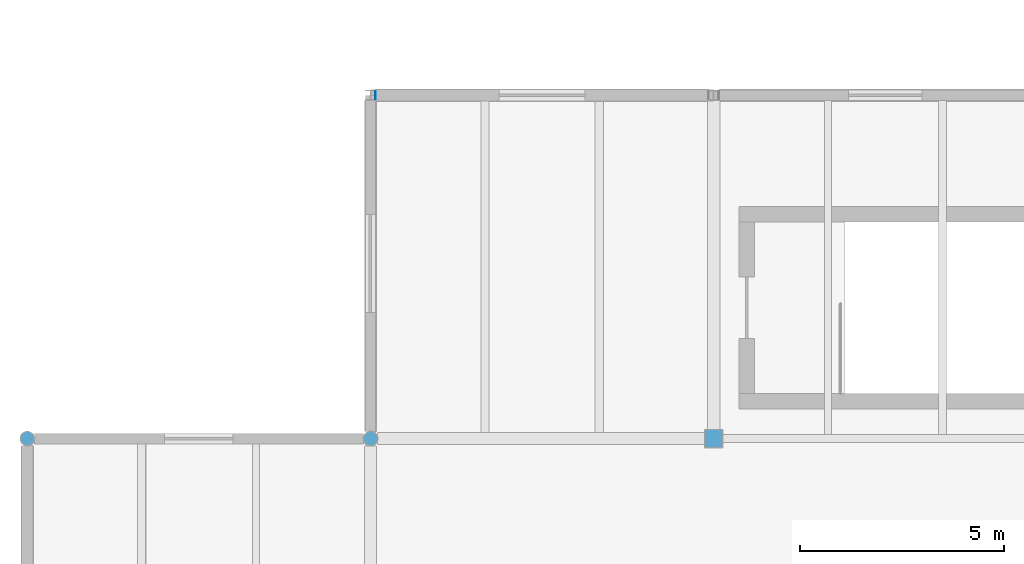
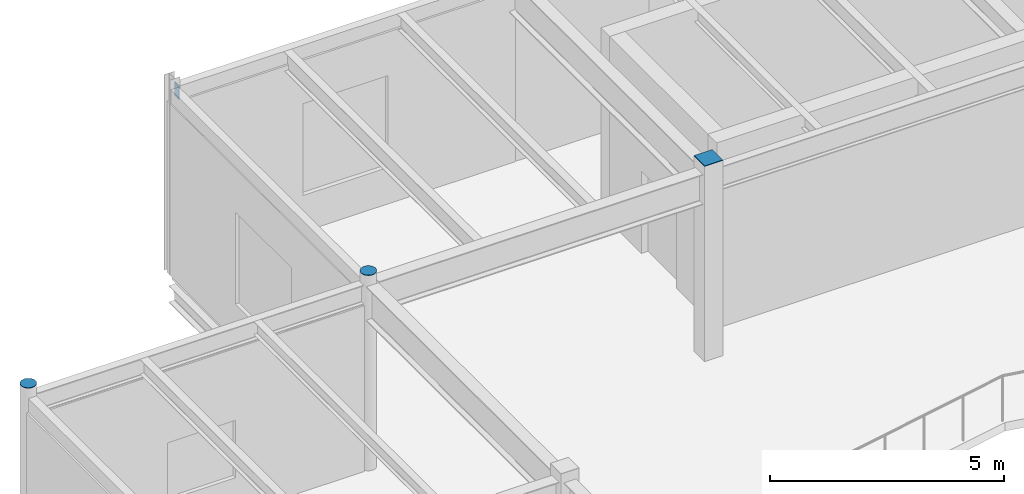
# One storey, part 44 of 57: 4 discrete accessories.
"""IFC4 building model written with IfcOpenShell, lengths in metres."""

from ifc_helpers import new_model, si_unit, direction, frame, origin, origin_2d, place, context, subcontext, project, spatial, rectangle, circle, extrude, material, type_object, element, save


model = new_model("IFC4")

# Units and contexts
model_context = context("Model", 3, precision=1e-05, world=origin(), true_north=direction((0.0, 1.0)))
body_context = subcontext(model_context, "Body", "Model", "MODEL_VIEW")
ifc_project = project(units=[si_unit("LENGTHUNIT", "METRE"), si_unit("AREAUNIT", "SQUARE_METRE"), si_unit("VOLUMEUNIT", "CUBIC_METRE"), si_unit("PLANEANGLEUNIT", "RADIAN"), si_unit("MASSUNIT", "GRAM", prefix="KILO"), si_unit("THERMODYNAMICTEMPERATUREUNIT", "KELVIN")], contexts=[model_context])

# Site, building, storey
site_placement = place(None, origin())
site = spatial("IfcSite", under=ifc_project, at=site_placement, CompositionType="ELEMENT")
building_placement = place(site_placement, origin())
building = spatial("IfcBuilding", under=site, at=building_placement, Name="Lustrewick Department Store", CompositionType="ELEMENT")
storey_placement = place(building_placement, frame((0.0, 0.0, 26.699951171875)))
storey = spatial("IfcBuildingStorey", under=building, at=storey_placement, Name="L06", CompositionType="ELEMENT", Elevation=26.699951171875)

# Discrete accessories
ifc_material = material(Name="Structural steel Q355C", Category="steel")
discrete_accessory_type = type_object("IfcDiscreteAccessoryType", Name="ECP-01", PredefinedType="USERDEFINED", material=ifc_material)
discrete_accessory_1_placement = place(storey_placement, frame((8.39990234375, 84.0, 5.093994140625), z_axis=(0.0, 0.0, 1.0), x_axis=(1.0, 0.0, 0.0)))
element("IfcDiscreteAccessory", 1, at=discrete_accessory_1_placement, inside=storey, type_object=discrete_accessory_type, Name="L06 Welded Hollow-Section End-Cap Plate ECP-01", ObjectType="END_CAP_PLATE", PredefinedType="USERDEFINED", context=body_context, shape_type="SweptSolid", body=[
    extrude(circle(Radius=0.177978515625, at=origin_2d()), origin(), (0.0, 0.0, 1.0), 0.01611328125),
])
discrete_accessory_2_placement = place(storey_placement, frame((16.93115234375, 92.39990234375, 4.670166015625), z_axis=(-1.0, 0.0, 0.0), x_axis=(0.0, 1.0, 0.0)))
element("IfcDiscreteAccessory", 2, at=discrete_accessory_2_placement, inside=storey, type_object=discrete_accessory_type, Name="L06 Welded Hollow-Section End-Cap Plate ECP-01", ObjectType="END_CAP_PLATE", PredefinedType="USERDEFINED", context=body_context, shape_type="SweptSolid", body=[
    extrude(rectangle(XDim=0.199951171875, YDim=0.35009765625, at=origin_2d()), origin(), (0.0, 0.0, 1.0), 0.01611328125),
])
discrete_accessory_3_placement = place(storey_placement, frame((16.800048828125, 84.0, 5.093994140625), z_axis=(0.0, 0.0, 1.0), x_axis=(1.0, 0.0, 0.0)))
element("IfcDiscreteAccessory", 3, at=discrete_accessory_3_placement, inside=storey, type_object=discrete_accessory_type, Name="L06 Welded Hollow-Section End-Cap Plate ECP-01", ObjectType="END_CAP_PLATE", PredefinedType="USERDEFINED", context=body_context, shape_type="SweptSolid", body=[
    extrude(circle(Radius=0.177978515625, at=origin_2d()), origin(), (0.0, 0.0, 1.0), 0.01611328125),
])
discrete_accessory_4_placement = place(storey_placement, frame((25.199951171875, 84.0, 5.093994140625), z_axis=(0.0, 0.0, 1.0), x_axis=(1.0, 0.0, 0.0)))
element("IfcDiscreteAccessory", 4, at=discrete_accessory_4_placement, inside=storey, type_object=discrete_accessory_type, Name="L06 Welded Hollow-Section End-Cap Plate ECP-01", ObjectType="END_CAP_PLATE", PredefinedType="USERDEFINED", context=body_context, shape_type="SweptSolid", body=[
    extrude(rectangle(XDim=0.449951171875, YDim=0.449951171875, at=origin_2d()), origin(), (0.0, 0.0, 1.0), 0.01611328125),
])

save(model, "model.ifc")
